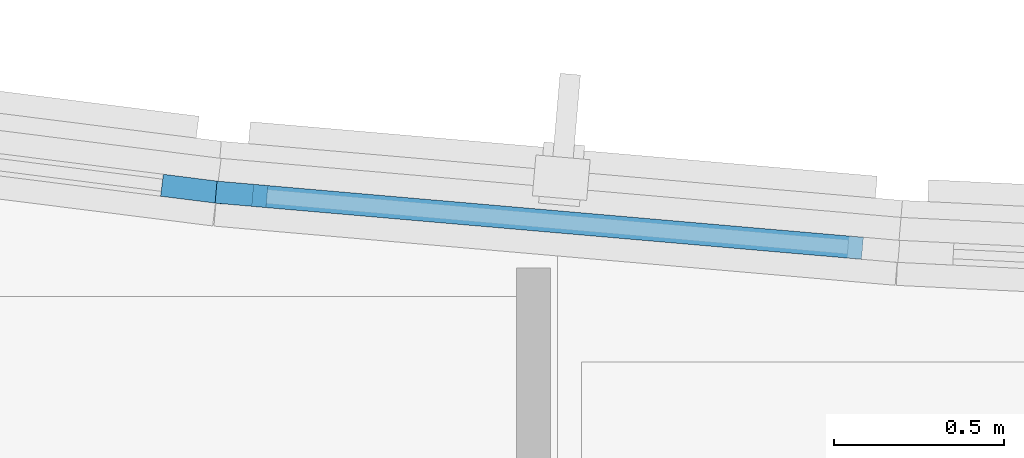
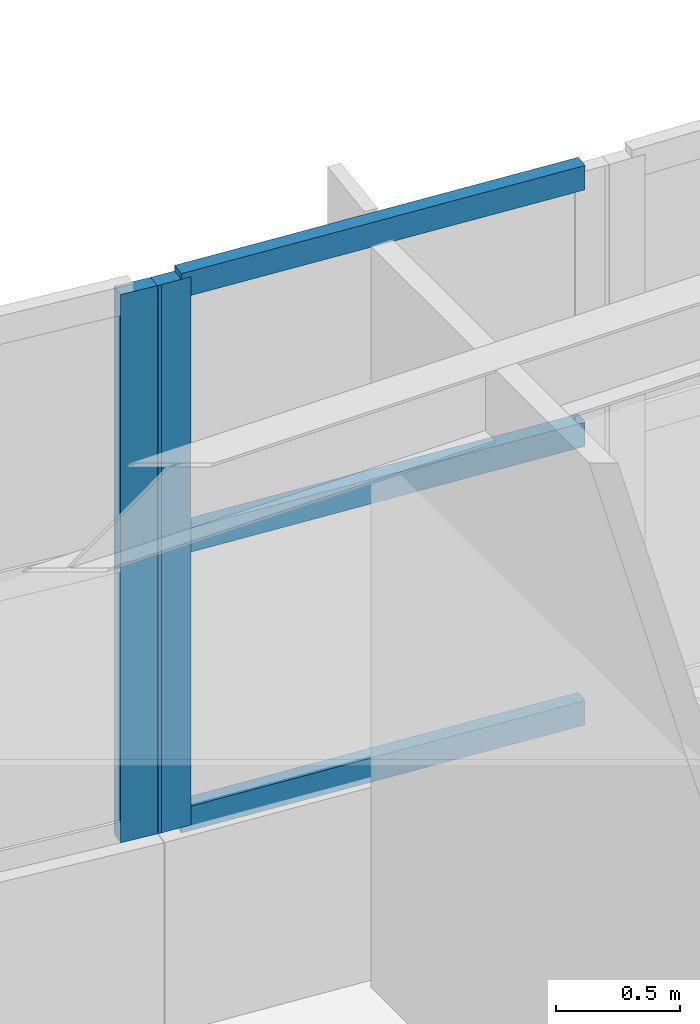
# One storey, part 15 of 63: 5 members, 2 elements without a shape of their own.
"""IFC4 building model written with IfcOpenShell, lengths in metres."""

from ifc_helpers import new_model, si_unit, direction, frame, origin, origin_2d, place, context, subcontext, project, spatial, rectangle, extrude, material, layer, layer_set, material_profile, profile_set, type_object, element, aggregate, save


model = new_model("IFC4")

# Units and contexts
model_context = context("Model", 3, precision=1e-05, world=origin(), true_north=direction((0.0, 1.0)))
body_context = subcontext(model_context, "Body", "Model", "MODEL_VIEW")
ifc_project = project(units=[si_unit("LENGTHUNIT", "METRE"), si_unit("AREAUNIT", "SQUARE_METRE"), si_unit("VOLUMEUNIT", "CUBIC_METRE"), si_unit("PLANEANGLEUNIT", "RADIAN"), si_unit("MASSUNIT", "GRAM", prefix="KILO")], contexts=[model_context])

# Site, building, storey
site_placement = place(None, origin())
site = spatial("IfcSite", under=ifc_project, at=site_placement, CompositionType="ELEMENT")
building_placement = place(site_placement, origin())
building = spatial("IfcBuilding", under=site, at=building_placement, Name="Tonlespit Floodbar School", CompositionType="ELEMENT")
storey_placement = place(building_placement, frame((0.0, 0.0, 8.39990234375)))
storey = spatial("IfcBuildingStorey", under=building, at=storey_placement, Name="L02", CompositionType="ELEMENT", Elevation=8.39990234375)

# Curtain wall, member
ifc_material = material(Name="Anodised Aluminium", Category="aluminium")
ifc_layer = layer(ifc_material, 0.159912109375)
ifc_layer_set = layer_set([ifc_layer], Name="Anodised Aluminium")
curtain_wall_type = type_object("IfcCurtainWallType", Name="CurtainWall_1950x2700", PredefinedType="NOTDEFINED", material=ifc_layer_set)
curtain_wall_1_placement = place(storey_placement, origin())
curtain_wall_1 = element("IfcCurtainWall", 1, at=curtain_wall_1_placement, inside=storey, type_object=curtain_wall_type, Name="L02 unitised curtain wall 0092", PredefinedType="NOTDEFINED")
ifc_material_profile_1 = material_profile(ifc_material, rectangle(XDim=0.06494140625, YDim=0.14990234375, at=origin_2d()), Name="ALU M65x150")
ifc_profile_set_1 = profile_set([ifc_material_profile_1], Name="Anodised Aluminium")
member_type_1 = type_object("IfcMemberType", Name="CW_Mullion_65x150", PredefinedType="MULLION", material=ifc_profile_set_1)
member_1_placement = place(storey_placement, frame((64.072265625, 121.135986328125, 0.9501953125), z_axis=(0.0, 0.0, 1.0), x_axis=(0.086531117454, 0.996249148412, 0.0)))
member_1 = element("IfcMember", 2, at=member_1_placement, type_object=member_type_1, Name="CW-04 mullion 1", PredefinedType="MULLION", context=body_context, shape_type="SweptSolid", body=[
    extrude(rectangle(XDim=0.06494140625, YDim=0.14990234375, at=origin_2d()), origin(), (0.0, 0.0, 1.0), 2.699951171875),
])

curtain_wall_2_placement = place(storey_placement, origin())
curtain_wall_2 = element("IfcCurtainWall", 3, at=curtain_wall_2_placement, inside=storey, type_object=curtain_wall_type, Name="L02 unitised curtain wall 0091", PredefinedType="NOTDEFINED")
ifc_material_profile_2 = material_profile(ifc_material, rectangle(XDim=0.06494140625, YDim=0.179931640625, at=origin_2d()), Name="ALU M65x180")
ifc_profile_set_2 = profile_set([ifc_material_profile_2], Name="Anodised Aluminium")
member_type_2 = type_object("IfcMemberType", Name="CW_Mullion_65x180", PredefinedType="MULLION", material=ifc_profile_set_2)
member_2_placement = place(storey_placement, frame((63.927978515625, 121.1513671875, 0.9501953125), z_axis=(0.0, 0.0, 1.0), x_axis=(0.125013803299, 0.992155002499, 0.0)))
member_2 = element("IfcMember", 4, at=member_2_placement, type_object=member_type_2, Name="CW-04 mullion 2", PredefinedType="MULLION", context=body_context, shape_type="SweptSolid", body=[
    extrude(rectangle(XDim=0.06494140625, YDim=0.179931640625, at=origin_2d()), origin(), (0.0, 0.0, 1.0), 2.699951171875),
])
aggregate(curtain_wall_2, [member_2])

# Member
ifc_material_profile_3 = material_profile(ifc_material, rectangle(XDim=0.06494140625, YDim=0.1201171875, at=origin_2d()), Name="ALU T65x120")
ifc_profile_set_3 = profile_set([ifc_material_profile_3], Name="Anodised Aluminium")
member_type_3 = type_object("IfcMemberType", Name="CW_Transom_65x120", PredefinedType="USERDEFINED", material=ifc_profile_set_3)
member_3_placement = place(storey_placement, frame((64.1044921875, 121.133056640625, 0.982666015625), z_axis=(0.996251281774, -0.086506552139, 0.0), x_axis=(0.086506552139, 0.996251281774, 0.0)))
member_3 = element("IfcMember", 5, at=member_3_placement, type_object=member_type_3, Name="CW-04 transom 1.1", ObjectType="TRANSOM", PredefinedType="USERDEFINED", context=body_context, shape_type="SweptSolid", body=[
    extrude(rectangle(XDim=0.06494140625, YDim=0.1201171875, at=origin_2d()), origin(), (0.0, 0.0, 1.0), 1.7978515625),
])

member_4_placement = place(storey_placement, frame((64.1044921875, 121.133056640625, 2.35400390625), z_axis=(0.996251281774, -0.086506552139, 0.0), x_axis=(0.086506552139, 0.996251281774, 0.0)))
member_4 = element("IfcMember", 6, at=member_4_placement, type_object=member_type_3, Name="CW-04 transom 1.2", ObjectType="TRANSOM", PredefinedType="USERDEFINED", context=body_context, shape_type="SweptSolid", body=[
    extrude(rectangle(XDim=0.06494140625, YDim=0.1201171875, at=origin_2d()), origin(), (0.0, 0.0, 1.0), 1.7978515625),
])

member_5_placement = place(storey_placement, frame((64.1044921875, 121.133056640625, 3.61767578125), z_axis=(0.996251281774, -0.086506552139, 0.0), x_axis=(0.086506552139, 0.996251281774, 0.0)))
member_5 = element("IfcMember", 7, at=member_5_placement, type_object=member_type_3, Name="CW-04 transom 1.3", ObjectType="TRANSOM", PredefinedType="USERDEFINED", context=body_context, shape_type="SweptSolid", body=[
    extrude(rectangle(XDim=0.06494140625, YDim=0.1201171875, at=origin_2d()), origin(), (0.0, 0.0, 1.0), 1.7978515625),
])

aggregate(curtain_wall_1, [member_1, member_3, member_4, member_5])

save(model, "model.ifc")
